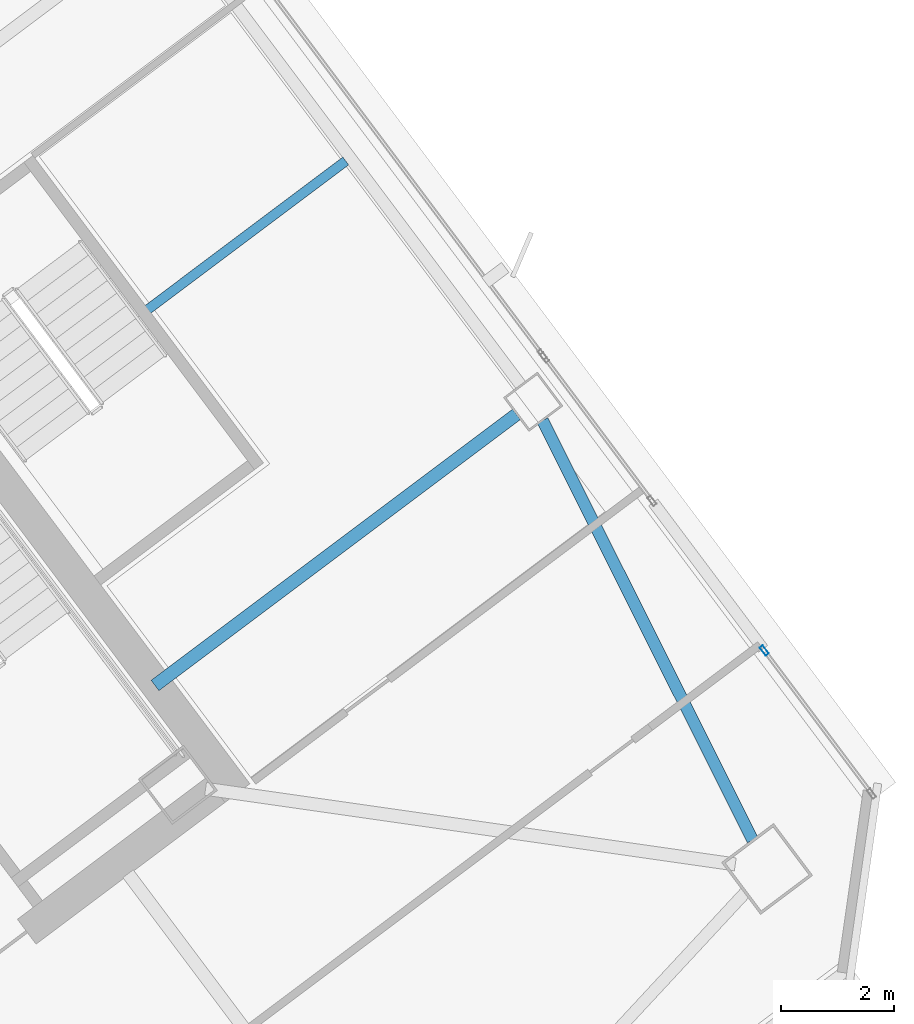
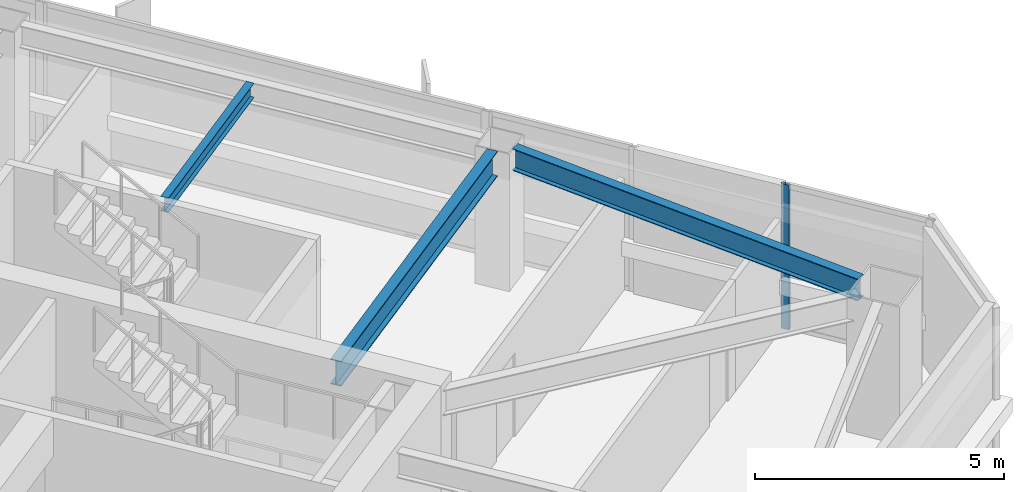
# One storey, part 27 of 46: 3 beams, 1 member, 1 element without a shape of its own.
"""IFC4 building model written with IfcOpenShell, lengths in metres."""

from ifc_helpers import new_model, si_unit, direction, frame, origin, origin_2d, place, context, subcontext, project, spatial, hollow_rectangle, i_section, extrude, material, material_profile, profile_set, type_object, element, aggregate, save


model = new_model("IFC4")

# Units and contexts
model_context = context("Model", 3, precision=1e-05, world=origin(), true_north=direction((0.0, 1.0)))
body_context = subcontext(model_context, "Body", "Model", "MODEL_VIEW")
ifc_project = project(units=[si_unit("LENGTHUNIT", "METRE"), si_unit("AREAUNIT", "SQUARE_METRE"), si_unit("VOLUMEUNIT", "CUBIC_METRE"), si_unit("PLANEANGLEUNIT", "RADIAN"), si_unit("MASSUNIT", "GRAM", prefix="KILO")], contexts=[model_context])

# Site, building, storey
site_placement = place(None, origin())
site = spatial("IfcSite", under=ifc_project, at=site_placement, CompositionType="ELEMENT")
building_placement = place(site_placement, origin())
building = spatial("IfcBuilding", under=site, at=building_placement, Name="Tashvorn Skyway Center", CompositionType="ELEMENT")
storey_placement = place(building_placement, frame((0.0, 0.0, 167.64990234375)))
storey = spatial("IfcBuildingStorey", under=building, at=storey_placement, Name="L45", CompositionType="ELEMENT", Elevation=167.64990234375)

# Beams
ifc_material_1 = material(Name="Steel ASTM A992 Grade 50", Category="steel")
ifc_material_profile_1 = material_profile(ifc_material_1, i_section(OverallWidth=0.22998046875, OverallDepth=0.616943359375, WebThickness=0.01318359375, FlangeThickness=0.022216796875, at=origin_2d()), Name="W24X94")
ifc_profile_set_1 = profile_set([ifc_material_profile_1], Name="Steel ASTM A992 Grade 50")
beam_type_1 = type_object("IfcBeamType", Name="BM-BEAM-W24X94", PredefinedType="BEAM", material=ifc_profile_set_1)
beam_1_placement = place(storey_placement, frame((129.864013671875, 37.14794921875, 3.0615234375), z_axis=(-0.799992675677, -0.60000976564, 0.0), x_axis=(0.60000976564, -0.799992675677, 0.0)))
element("IfcBeam", 1, at=beam_1_placement, inside=storey, type_object=beam_type_1, Name="Tower 2 L45 Primary Floor Girder FC-E1", PredefinedType="BEAM", context=body_context, shape_type="SweptSolid", body=[
    extrude(i_section(OverallWidth=0.22998046875, OverallDepth=0.616943359375, WebThickness=0.01318359375, FlangeThickness=0.022216796875, at=origin_2d()), origin(), (0.0, 0.0, 1.0), 8.0),
])
ifc_material_profile_2 = material_profile(ifc_material_1, i_section(OverallWidth=0.1708984375, OverallDepth=0.35498046875, WebThickness=0.007080078125, FlangeThickness=0.01171875, at=origin_2d()), Name="W14X34")
ifc_profile_set_2 = profile_set([ifc_material_profile_2], Name="Steel ASTM A992 Grade 50")
beam_type_2 = type_object("IfcBeamType", Name="BM-JOIST-W14X34", PredefinedType="JOIST", material=ifc_profile_set_2)
beam_2_placement = place(storey_placement, frame((123.3359375, 39.001953125, 3.192626953125), z_axis=(0.799993315235, 0.600008912917, 0.0), x_axis=(-0.600008912917, 0.799993315235, 0.0)))
element("IfcBeam", 2, at=beam_2_placement, inside=storey, type_object=beam_type_2, Name="Tower 2 L45 Secondary Composite Joist JE", PredefinedType="JOIST", context=body_context, shape_type="SweptSolid", body=[
    extrude(i_section(OverallWidth=0.1708984375, OverallDepth=0.35498046875, WebThickness=0.007080078125, FlangeThickness=0.01171875, at=origin_2d()), origin(), (0.0, 0.0, 1.0), 4.382568359375),
])
ifc_material_profile_3 = material_profile(ifc_material_1, i_section(OverallWidth=0.2109375, OverallDepth=0.5390625, WebThickness=0.01171875, FlangeThickness=0.018798828125, at=origin_2d()), Name="W21X73")
ifc_profile_set_3 = profile_set([ifc_material_profile_3], Name="Steel ASTM A992 Grade 50")
beam_type_3 = type_object("IfcBeamType", Name="BM-SPANDREL-W21X73", PredefinedType="SPANDREL", material=ifc_profile_set_3)
beam_3_placement = place(storey_placement, frame((134.044921875, 29.609619140625, 3.1005859375), z_axis=(-0.447648438059, 0.894209637559, 0.0), x_axis=(-0.894209637559, -0.447648438059, 0.0)))
element("IfcBeam", 3, at=beam_3_placement, inside=storey, type_object=beam_type_3, Name="Tower 2 L45 Spandrel Beam 04", PredefinedType="SPANDREL", context=body_context, shape_type="SweptSolid", body=[
    extrude(i_section(OverallWidth=0.2109375, OverallDepth=0.5390625, WebThickness=0.01171875, FlangeThickness=0.018798828125, at=origin_2d()), origin(), (0.0, 0.0, 1.0), 8.308349609375),
])

# Curtain wall, member
ifc_material_2 = material(Name="Thermally broken bronze-anodized aluminium 6063-T6", Category="aluminium")
curtain_wall_type = type_object("IfcCurtainWallType", Name="CW-CW-Z4", PredefinedType="NOTDEFINED", material=ifc_material_2)
curtain_wall_placement = place(storey_placement, origin())
curtain_wall = element("IfcCurtainWall", 4, at=curtain_wall_placement, inside=storey, type_object=curtain_wall_type, Name="Tower 2 L45 East Unitised Curtain Wall Glazing Group 5", PredefinedType="NOTDEFINED")
ifc_material_profile_4 = material_profile(ifc_material_2, hollow_rectangle(XDim=0.070068359375, YDim=0.179931640625, WallThickness=0.00390625, at=origin_2d()), Name="ALU-MULL-70x180")
ifc_profile_set_4 = profile_set([ifc_material_profile_4], Name="Thermally broken bronze-anodized aluminium 6063-T6")
member_type = type_object("IfcMemberType", Name="CWM-CW-Z4", PredefinedType="MULLION", material=ifc_profile_set_4)
member_placement = place(storey_placement, frame((134.2490234375, 32.968017578125, 0.0), z_axis=(0.0, 0.0, 1.0), x_axis=(0.799999999998, 0.600000000002, 0.0)))
member = element("IfcMember", 5, at=member_placement, type_object=member_type, Name="CW-Z4 mullion 1", PredefinedType="MULLION", context=body_context, shape_type="SweptSolid", body=[
    extrude(hollow_rectangle(XDim=0.070068359375, YDim=0.179931640625, WallThickness=0.00390625, at=origin_2d()), origin(), (0.0, 0.0, 1.0), 3.550048828125),
])
aggregate(curtain_wall, [member])

save(model, "model.ifc")
